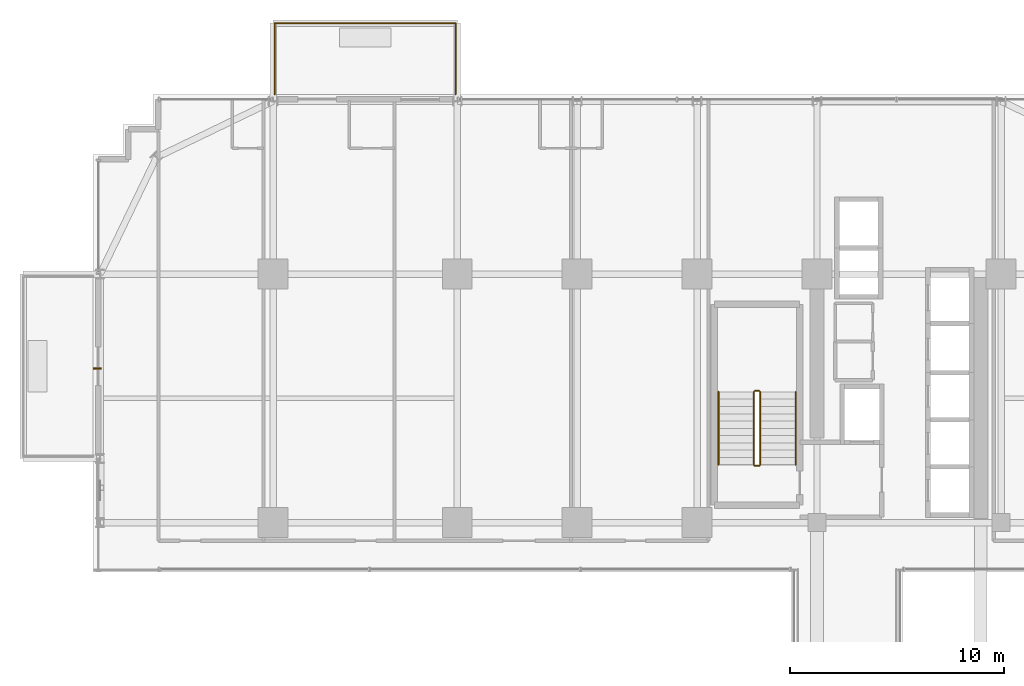
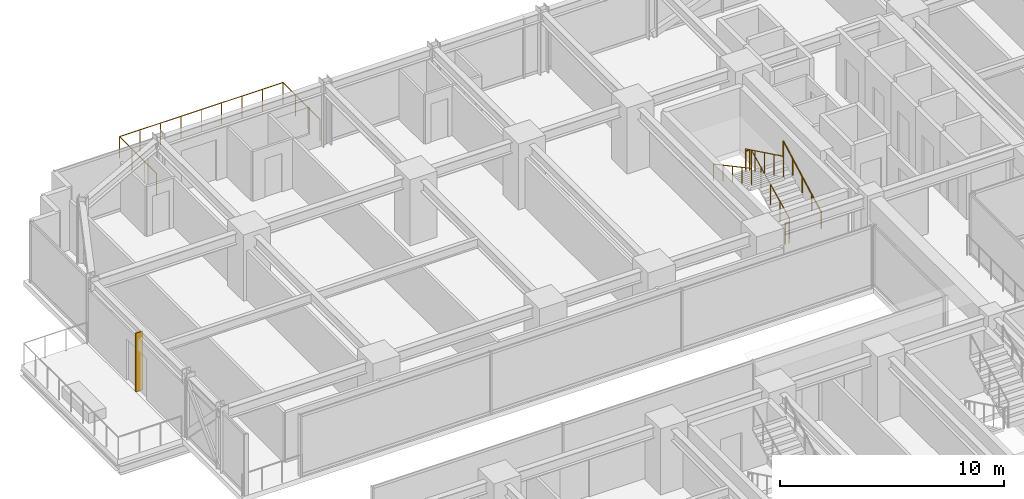
# One storey, part 41 of 42: 7 railings, 1 shading device.
"""IFC4 building model written with IfcOpenShell, lengths in metres."""

import ifcopenshell
import ifcopenshell.guid

model = None  # the IFC model being written
_history = None  # IfcOwnerHistory: only IFC2X3 demands one
_inside = {}  # id of a spatial element -> (the spatial element, [elements in it])
_under = {}  # id of a project, library or spatial element -> (it, [spatial elements below it])
_declared = {}  # id of a project -> (the project, [libraries it declares])
_typed = {}  # id of a type object -> (the type object, [elements of that type])
_made_of = {}  # id of a material, layer set ... -> (it, [elements and type objects made of it])


def new_model(schema):
    """Start an empty IFC model of exactly this schema.

    Asked for "IFC4X3", IfcOpenShell would pick the latest addendum, in which some entities
    have other attributes; the version numbers below select the first issue.
    IFC2X3 requires an IfcOwnerHistory on every rooted entity: one is made here for all.
    """
    global model, _history
    if schema == "IFC4X3":
        model = ifcopenshell.file(schema_version=(4, 3, 0, 0))
    else:
        model = ifcopenshell.file(schema=schema)
    _inside.clear()
    _under.clear()
    _declared.clear()
    _typed.clear()
    _made_of.clear()
    _history = None
    if model.schema == "IFC2X3":
        org = make("IfcOrganization", Name="unknown")
        user = make(
            "IfcPersonAndOrganization",
            ThePerson=make("IfcPerson", FamilyName="unknown"),
            TheOrganization=org,
        )
        app = make(
            "IfcApplication",
            ApplicationDeveloper=org,
            Version="unknown",
            ApplicationFullName="unknown",
            ApplicationIdentifier="unknown",
        )
        _history = make(
            "IfcOwnerHistory",
            OwningUser=user,
            OwningApplication=app,
            ChangeAction="ADDED",
            CreationDate=0,
        )
    return model


def make(cls, **values):
    """One entity of the class cls with the attributes given. An attribute that is None is left unset."""
    return model.create_entity(
        cls, **{name: value for name, value in values.items() if value is not None}
    )


def rooted(cls, **values):
    """An entity with a GlobalId (a new one), such as an element, a storey or a relation."""
    return make(cls, GlobalId=ifcopenshell.guid.new(), OwnerHistory=_history, **values)


def si_unit(unit_type, name, prefix=None):
    """IfcSIUnit, for example si_unit("LENGTHUNIT", "METRE", prefix="MILLI")."""
    return make("IfcSIUnit", UnitType=unit_type, Prefix=prefix, Name=name)


def assignment(units):
    """IfcUnitAssignment: the units of a project."""
    return None if units is None else make("IfcUnitAssignment", Units=units)


def point(xyz):
    """IfcCartesianPoint."""
    return None if xyz is None else make("IfcCartesianPoint", Coordinates=xyz)


def direction(xyz):
    """IfcDirection."""
    return None if xyz is None else make("IfcDirection", DirectionRatios=xyz)


def frame(location, z_axis=None, x_axis=None):
    """IfcAxis2Placement3D, a coordinate frame: its origin and axes. An axis left out is left unset."""
    return make(
        "IfcAxis2Placement3D",
        Location=point(location),
        Axis=direction(z_axis),
        RefDirection=direction(x_axis),
    )


def frame_2d(location, x_axis=None):
    """IfcAxis2Placement2D, a coordinate frame in the plane: its origin and x axis."""
    return make(
        "IfcAxis2Placement2D", Location=point(location), RefDirection=direction(x_axis)
    )


def origin():
    """The frame at (0, 0, 0) with its axes left unset."""
    return frame((0.0, 0.0, 0.0))


def origin_2d():
    """The frame at (0, 0) in the plane with its x axis left unset."""
    return frame_2d((0.0, 0.0))


def place(relative_to, where):
    """IfcLocalPlacement: puts the frame where relative to a parent placement (None: the world)."""
    return make(
        "IfcLocalPlacement", PlacementRelTo=relative_to, RelativePlacement=where
    )


def context(
    kind, dimensions, precision=None, world=None, true_north=None, identifier=None
):
    """IfcGeometricRepresentationContext, for example the 3D "Model" context."""
    return make(
        "IfcGeometricRepresentationContext",
        ContextIdentifier=identifier,
        ContextType=kind,
        CoordinateSpaceDimension=dimensions,
        Precision=precision,
        WorldCoordinateSystem=world,
        TrueNorth=true_north,
    )


def subcontext(parent, identifier, kind, view, scale=None):
    """IfcGeometricRepresentationSubContext, for example "Body" below "Model"."""
    return make(
        "IfcGeometricRepresentationSubContext",
        ContextIdentifier=identifier,
        ContextType=kind,
        ParentContext=parent,
        TargetScale=scale,
        TargetView=view,
    )


def project(units=None, contexts=None):
    """IfcProject with its units and contexts."""
    return rooted(
        "IfcProject",
        Name="project",
        RepresentationContexts=contexts,
        UnitsInContext=assignment(units),
    )


def spatial(cls, under=None, at=None, **own):
    """A site, building, storey or space (cls), placed at a placement, below another one or the project."""
    s = rooted(cls, ObjectPlacement=at, **own)
    if under is not None:
        _under.setdefault(under.id(), (under, []))[1].append(s)
    return s


def profile(cls, at=None, kind="AREA", **sizes):
    """A parametric profile (cls). Its sizes go by their IFC names, for example OverallWidth=200.0."""
    return make(cls, ProfileType=kind, Position=at, **sizes)


def rectangle(**sizes):
    """IfcRectangleProfileDef."""
    return profile("IfcRectangleProfileDef", **sizes)


def circle(**sizes):
    """IfcCircleProfileDef."""
    return profile("IfcCircleProfileDef", **sizes)


def extrude(swept, where, along, depth):
    """IfcExtrudedAreaSolid: the profile swept, set in the frame where, extruded along a direction by depth."""
    return make(
        "IfcExtrudedAreaSolid",
        SweptArea=swept,
        Position=where,
        ExtrudedDirection=direction(along),
        Depth=depth,
    )


def shape(context_of_items, identifier, shape_type, items):
    """IfcShapeRepresentation: the items that make up one representation, for example the "Body"."""
    return make(
        "IfcShapeRepresentation",
        ContextOfItems=context_of_items,
        RepresentationIdentifier=identifier,
        RepresentationType=shape_type,
        Items=items,
    )


def source(mapping_origin, context_of_items, identifier, shape_type, items):
    """IfcRepresentationMap: a shape defined once, which mapped items show again and again."""
    return make(
        "IfcRepresentationMap",
        MappingOrigin=mapping_origin,
        MappedRepresentation=shape(context_of_items, identifier, shape_type, items),
    )


def transform(
    local_origin,
    x_axis=None,
    y_axis=None,
    z_axis=None,
    scale=None,
    scale2=None,
    scale3=None,
    uniform=True,
):
    """IfcCartesianTransformationOperator3D, or its non-uniform kind. x_axis, y_axis, z_axis: its Axis1, 2, 3."""
    if uniform:
        return make(
            "IfcCartesianTransformationOperator3D",
            Axis1=direction(x_axis),
            Axis2=direction(y_axis),
            LocalOrigin=point(local_origin),
            Scale=scale,
            Axis3=direction(z_axis),
        )
    return make(
        "IfcCartesianTransformationOperator3DnonUniform",
        Axis1=direction(x_axis),
        Axis2=direction(y_axis),
        LocalOrigin=point(local_origin),
        Scale=scale,
        Axis3=direction(z_axis),
        Scale2=scale2,
        Scale3=scale3,
    )


def mapped(mapping_source, mapping_target):
    """IfcMappedItem: shows the shape of a source again, moved by a transform."""
    return make(
        "IfcMappedItem", MappingSource=mapping_source, MappingTarget=mapping_target
    )


def material(Name=None, Category=None):
    """IfcMaterial."""
    return make("IfcMaterial", Name=Name, Category=Category)


def layer(
    of_material, thickness, ventilated=None, Name=None, Category=None, Priority=None
):
    """IfcMaterialLayer: one layer of a wall or slab, of a material (None: an air gap)."""
    return make(
        "IfcMaterialLayer",
        Material=of_material,
        LayerThickness=thickness,
        IsVentilated=ventilated,
        Name=Name,
        Category=Category,
        Priority=Priority,
    )


def layer_set(layers, Name=None):
    """IfcMaterialLayerSet."""
    return make("IfcMaterialLayerSet", MaterialLayers=layers, LayerSetName=Name)


def made_of(thing, what):
    """Note that an element or type object is made of a material, layer set ...; save() writes the relation."""
    if what is not None:
        _made_of.setdefault(what.id(), (what, []))[1].append(thing)
    return thing


def type_object(cls, material=None, **own):
    """A type object (cls), such as IfcWallType, which elements share."""
    return made_of(rooted(cls, **own), material)


def element(
    cls,
    number,
    at=None,
    inside=None,
    cuts=None,
    type_object=None,
    material=None,
    context=None,
    identifier="Body",
    shape_type=None,
    held_by="IfcProductDefinitionShape",
    body=None,
    shapes=None,
    **own,
):
    """One element of the class cls, such as IfcWall. Its Tag is "e" and its number.

    at: its placement. inside: the storey or other place that contains it. cuts: it is an
    opening in that element (IfcRelVoidsElement). A single representation is given by context,
    identifier, shape_type and body (its items); several are given by shapes. held_by: the class
    of the entity that holds the representations. save() writes the other relations.
    """
    e = rooted(cls, Tag="e%d" % number, ObjectPlacement=at, **own)
    if body is not None:
        shapes = [shape(context, identifier, shape_type, body)]
    if shapes is not None:
        e.Representation = make(held_by, Representations=shapes)
    if inside is not None:
        _inside.setdefault(inside.id(), (inside, []))[1].append(e)
    if cuts is not None:
        rooted(
            "IfcRelVoidsElement", RelatingBuildingElement=cuts, RelatedOpeningElement=e
        )
    if type_object is not None:
        _typed.setdefault(type_object.id(), (type_object, []))[1].append(e)
    return made_of(e, material)


def aggregate(whole, parts):
    """IfcRelAggregates: a whole, such as a stair, and the parts it consists of."""
    return rooted("IfcRelAggregates", RelatingObject=whole, RelatedObjects=parts)


def save(model, path):
    """Write the relations noted so far, then the file.

    IfcRelAggregates (storeys below a building ...), IfcRelContainedInSpatialStructure (elements
    in a storey), IfcRelDefinesByType, IfcRelAssociatesMaterial and IfcRelDeclares: one each for
    every whole, place, type object, material and project.
    """
    for whole, parts in _under.values():
        aggregate(whole, parts)
    for where, things in _inside.values():
        rooted(
            "IfcRelContainedInSpatialStructure",
            RelatedElements=things,
            RelatingStructure=where,
        )
    for kind, things in _typed.values():
        rooted("IfcRelDefinesByType", RelatedObjects=things, RelatingType=kind)
    for what, things in _made_of.values():
        rooted("IfcRelAssociatesMaterial", RelatedObjects=things, RelatingMaterial=what)
    for by, libraries in _declared.values():
        rooted("IfcRelDeclares", RelatingContext=by, RelatedDefinitions=libraries)
    model.write(path)


model = new_model("IFC4")

# Units and contexts
model_context = context("Model", 3, precision=1e-05, world=origin(), true_north=direction((0.0, 1.0)))
body_context = subcontext(model_context, "Body", "Model", "MODEL_VIEW")
ifc_project = project(units=[si_unit("LENGTHUNIT", "METRE"), si_unit("AREAUNIT", "SQUARE_METRE"), si_unit("VOLUMEUNIT", "CUBIC_METRE"), si_unit("PLANEANGLEUNIT", "RADIAN"), si_unit("MASSUNIT", "GRAM", prefix="KILO")], contexts=[model_context])

# Site, building, storey
site_placement = place(None, origin())
site = spatial("IfcSite", under=ifc_project, at=site_placement, CompositionType="ELEMENT")
building_placement = place(site_placement, origin())
building = spatial("IfcBuilding", under=site, at=building_placement, Name="Nahalor Promenade Grand Hotel", CompositionType="ELEMENT")
storey_placement = place(building_placement, frame((0.0, 0.0, 61.60009765625)))
storey = spatial("IfcBuildingStorey", under=building, at=storey_placement, Name="L14", CompositionType="ELEMENT", Elevation=61.60009765625)

# Railings
ifc_material_1 = material(Name="Anodised Bronze Aluminium EN AW-6063 T6", Category="aluminium")
railing_type_1 = type_object("IfcRailingType", Name="Bronze Balcony Guardrail 1200 mm", PredefinedType="GUARDRAIL", material=ifc_material_1)
railing_1_placement = place(storey_placement, frame((-16.919921875, 25.39990234375, 0.0)))
element("IfcRailing", 1, at=railing_1_placement, inside=storey, type_object=railing_type_1, Name="L14 Balcony Guardrail 1", PredefinedType="GUARDRAIL", context=body_context, shape_type="SweptSolid", body=[
    extrude(circle(Radius=0.024048, at=origin_2d()), frame((0.0, 0.0, 1.17578125), z_axis=(0.0, 1.0, 0.0), x_axis=(-1.0, 0.0, 0.0)), (0.0, 0.0, 1.0), 3.318115234375),
    extrude(circle(Radius=0.024048, at=origin_2d()), frame((0.001953125, 3.320068359375, 1.17578125), z_axis=(1.0, 0.0, 0.0), x_axis=(0.0, 1.0, 0.0)), (0.0, 0.0, 1.0), 8.43603515625),
    extrude(circle(Radius=0.024048, at=origin_2d()), frame((8.43994140625, 3.318115234375, 1.17578125), z_axis=(0.0, -1.0, 0.0), x_axis=(1.0, 0.0, 0.0)), (0.0, 0.0, 1.0), 3.318115234375),
    extrude(circle(Radius=0.020996, at=origin_2d()), origin(), (0.0, 0.0, 1.0), 1.14990234375),
    extrude(circle(Radius=0.020996, at=origin_2d()), frame((0.0, 1.106689453125, 0.0)), (0.0, 0.0, 1.0), 1.14990234375),
    extrude(circle(Radius=0.020996, at=origin_2d()), frame((0.0, 2.21337890625, 0.0)), (0.0, 0.0, 1.0), 1.14990234375),
    extrude(circle(Radius=0.020996, at=origin_2d()), frame((0.0, 3.320068359375, 0.0)), (0.0, 0.0, 1.0), 1.14990234375),
    extrude(circle(Radius=0.020996, at=origin_2d()), frame((1.054931640625, 3.320068359375, 0.0)), (0.0, 0.0, 1.0), 1.14990234375),
    extrude(circle(Radius=0.020996, at=origin_2d()), frame((2.10986328125, 3.320068359375, 0.0)), (0.0, 0.0, 1.0), 1.14990234375),
    extrude(circle(Radius=0.020996, at=origin_2d()), frame((3.1650390625, 3.320068359375, 0.0)), (0.0, 0.0, 1.0), 1.14990234375),
    extrude(circle(Radius=0.020996, at=origin_2d()), frame((4.219970703125, 3.320068359375, 0.0)), (0.0, 0.0, 1.0), 1.14990234375),
    extrude(circle(Radius=0.020996, at=origin_2d()), frame((5.27490234375, 3.320068359375, 0.0)), (0.0, 0.0, 1.0), 1.14990234375),
    extrude(circle(Radius=0.020996, at=origin_2d()), frame((6.330078125, 3.320068359375, 0.0)), (0.0, 0.0, 1.0), 1.14990234375),
    extrude(circle(Radius=0.020996, at=origin_2d()), frame((7.385009765625, 3.320068359375, 0.0)), (0.0, 0.0, 1.0), 1.14990234375),
    extrude(circle(Radius=0.020996, at=origin_2d()), frame((8.43994140625, 3.320068359375, 0.0)), (0.0, 0.0, 1.0), 1.14990234375),
    extrude(circle(Radius=0.020996, at=origin_2d()), frame((8.43994140625, 2.21337890625, 0.0)), (0.0, 0.0, 1.0), 1.14990234375),
    extrude(circle(Radius=0.020996, at=origin_2d()), frame((8.43994140625, 1.106689453125, 0.0)), (0.0, 0.0, 1.0), 1.14990234375),
    extrude(circle(Radius=0.020996, at=origin_2d()), frame((8.43994140625, 0.0, 0.0)), (0.0, 0.0, 1.0), 1.14990234375),
])
ifc_material_2 = material(Name="Steel S355JR", Category="steel")
railing_type_2 = type_object("IfcRailingType", Name="Steel Stair Guardrail 1150 mm", PredefinedType="GUARDRAIL", material=ifc_material_2)
railing_2_placement = place(storey_placement, frame((5.75, 8.10009765625, 0.165771484375)))
element("IfcRailing", 2, at=railing_2_placement, inside=storey, type_object=railing_type_2, Name="L14 ST1 stair guard 1", PredefinedType="GUARDRAIL", context=body_context, shape_type="SweptSolid", body=[
    extrude(circle(Radius=0.024048, at=origin_2d()), frame((0.0, 0.0, 1.1259765625), z_axis=(0.0, 0.898696488221, 0.438571114028), x_axis=(-1.0, 0.0, 0.0)), (0.0, 0.0, 1.0), 3.783203125),
    extrude(circle(Radius=0.020996, at=origin_2d()), origin(), (0.0, 0.0, 1.0), 1.099853515625),
    extrude(circle(Radius=0.020996, at=origin_2d()), frame((0.0, 0.85009765625, 0.414794921875)), (0.0, 0.0, 1.0), 1.099853515625),
    extrude(circle(Radius=0.020996, at=origin_2d()), frame((0.0, 1.699951171875, 0.82958984375)), (0.0, 0.0, 1.0), 1.099853515625),
    extrude(circle(Radius=0.020996, at=origin_2d()), frame((0.0, 2.5498046875, 1.244384765625)), (0.0, 0.0, 1.0), 1.099853515625),
    extrude(circle(Radius=0.020996, at=origin_2d()), frame((0.0, 3.39990234375, 1.6591796875)), (0.0, 0.0, 1.0), 1.099853515625),
])
railing_3_placement = place(storey_placement, frame((5.699951171875, 11.550048828125, 1.824951171875)))
element("IfcRailing", 3, at=railing_3_placement, inside=storey, type_object=railing_type_2, Name="L14 ST1 stair guard 2", PredefinedType="GUARDRAIL", context=body_context, shape_type="SweptSolid", body=[
    extrude(circle(Radius=0.024048, at=origin_2d()), frame((0.0, 0.0, 1.1259765625), z_axis=(-1.0, 0.0, 0.0), x_axis=(0.0, -1.0, 0.0)), (0.0, 0.0, 1.0), 0.199951171875),
    extrude(circle(Radius=0.020996, at=origin_2d()), origin(), (0.0, 0.0, 1.0), 1.099853515625),
    extrude(circle(Radius=0.020996, at=origin_2d()), frame((-0.199951171875, 0.0, 0.0)), (0.0, 0.0, 1.0), 1.099853515625),
])
railing_4_placement = place(storey_placement, frame((5.449951171875, 11.5, 1.99072265625)))
element("IfcRailing", 4, at=railing_4_placement, inside=storey, type_object=railing_type_2, Name="L14 ST1 stair guard 3", PredefinedType="GUARDRAIL", context=body_context, shape_type="SweptSolid", body=[
    extrude(circle(Radius=0.024048, at=origin_2d()), frame((0.0, 0.0, 1.1259765625), z_axis=(0.0, -0.898696488221, 0.438571114028), x_axis=(1.0, 0.0, 0.0)), (0.0, 0.0, 1.0), 3.783203125),
    extrude(circle(Radius=0.020996, at=origin_2d()), origin(), (0.0, 0.0, 1.0), 1.099853515625),
    extrude(circle(Radius=0.020996, at=origin_2d()), frame((0.0, -0.85009765625, 0.414794921875)), (0.0, 0.0, 1.0), 1.099853515625),
    extrude(circle(Radius=0.020996, at=origin_2d()), frame((0.0, -1.699951171875, 0.82958984375)), (0.0, 0.0, 1.0), 1.099853515625),
    extrude(circle(Radius=0.020996, at=origin_2d()), frame((0.0, -2.5498046875, 1.244384765625)), (0.0, 0.0, 1.0), 1.099853515625),
    extrude(circle(Radius=0.020996, at=origin_2d()), frame((0.0, -3.39990234375, 1.6591796875)), (0.0, 0.0, 1.0), 1.099853515625),
])
railing_5_placement = place(storey_placement, frame((5.699951171875, 8.050048828125, 0.0)))
element("IfcRailing", 5, at=railing_5_placement, inside=storey, type_object=railing_type_2, Name="L14 ST1 stair guard 4", PredefinedType="GUARDRAIL", context=body_context, shape_type="SweptSolid", body=[
    extrude(circle(Radius=0.024048, at=origin_2d()), frame((0.0, 0.0, 1.1259765625), z_axis=(-1.0, 0.0, 0.0), x_axis=(0.0, -1.0, 0.0)), (0.0, 0.0, 1.0), 0.199951171875),
    extrude(circle(Radius=0.020996, at=origin_2d()), origin(), (0.0, 0.0, 1.0), 1.099853515625),
    extrude(circle(Radius=0.020996, at=origin_2d()), frame((-0.199951171875, 0.0, 0.0)), (0.0, 0.0, 1.0), 1.099853515625),
])
railing_type_3 = type_object("IfcRailingType", Name="Steel Stair Handrail 900 mm", PredefinedType="HANDRAIL", material=ifc_material_2)
railing_6_placement = place(storey_placement, frame((7.39990234375, 8.10009765625, 0.165771484375)))
element("IfcRailing", 6, at=railing_6_placement, inside=storey, type_object=railing_type_3, Name="L14 ST1 stair handrail 1", PredefinedType="HANDRAIL", context=body_context, shape_type="SweptSolid", body=[
    extrude(circle(Radius=0.024048, at=origin_2d()), frame((0.0, 0.0, 0.8759765625), z_axis=(0.0, 0.881094038095, 0.47294111265), x_axis=(-1.0, 0.0, 0.0)), (0.0, 0.0, 1.0), 3.858642578125),
    extrude(circle(Radius=0.020996, at=origin_2d()), origin(), (0.0, 0.0, 1.0), 0.849853515625),
    extrude(circle(Radius=0.020996, at=origin_2d()), frame((0.0, 0.85009765625, 0.456298828125)), (0.0, 0.0, 1.0), 0.849853515625),
    extrude(circle(Radius=0.020996, at=origin_2d()), frame((0.0, 1.699951171875, 0.91259765625)), (0.0, 0.0, 1.0), 0.849853515625),
    extrude(circle(Radius=0.020996, at=origin_2d()), frame((0.0, 2.5498046875, 1.36865234375)), (0.0, 0.0, 1.0), 0.849853515625),
    extrude(circle(Radius=0.020996, at=origin_2d()), frame((0.0, 3.39990234375, 1.824951171875)), (0.0, 0.0, 1.0), 0.849853515625),
])
railing_7_placement = place(storey_placement, frame((3.800048828125, 11.5, 1.99072265625)))
element("IfcRailing", 7, at=railing_7_placement, inside=storey, type_object=railing_type_3, Name="L14 ST1 stair handrail 2", PredefinedType="HANDRAIL", context=body_context, shape_type="SweptSolid", body=[
    extrude(circle(Radius=0.024048, at=origin_2d()), frame((0.0, 0.0, 0.8759765625), z_axis=(0.0, -0.881067672671, 0.472990228413), x_axis=(1.0, 0.0, 0.0)), (0.0, 0.0, 1.0), 3.85888671875),
    extrude(circle(Radius=0.020996, at=origin_2d()), origin(), (0.0, 0.0, 1.0), 0.849853515625),
    extrude(circle(Radius=0.020996, at=origin_2d()), frame((0.0, -0.85009765625, 0.456298828125)), (0.0, 0.0, 1.0), 0.849853515625),
    extrude(circle(Radius=0.020996, at=origin_2d()), frame((0.0, -1.699951171875, 0.91259765625)), (0.0, 0.0, 1.0), 0.849853515625),
    extrude(circle(Radius=0.020996, at=origin_2d()), frame((0.0, -2.5498046875, 1.368896484375)), (0.0, 0.0, 1.0), 0.849853515625),
    extrude(circle(Radius=0.020996, at=origin_2d()), frame((0.0, -3.39990234375, 1.8251953125)), (0.0, 0.0, 1.0), 0.849853515625),
])

# Shading device
ifc_layer = layer(ifc_material_1, 0.06005859375)
ifc_layer_set = layer_set([ifc_layer], Name="Anodised Bronze Aluminium EN AW-6063 T6")
shading_device_type = type_object("IfcShadingDeviceType", Name="Shade-SolarFin-Bronze", PredefinedType="JALOUSIE", material=ifc_layer_set)
shared_shape = source(origin(), body_context, "Body", "SweptSolid", [
    extrude(rectangle(XDim=0.3798828125, YDim=0.06005859375, at=origin_2d()), origin(), (0.0, 0.0, 1.0), 3.199951171875),
])
shading_device_placement = place(storey_placement, frame((-25.2099609375, 12.60009765625, 0.0), z_axis=(0.0, 0.0, 1.0), x_axis=(1.0, 0.0, 0.0)))
element("IfcShadingDevice", 8, at=shading_device_placement, inside=storey, type_object=shading_device_type, Name="JAL-L14-W2", PredefinedType="JALOUSIE", context=body_context, shape_type="MappedRepresentation", body=[
    mapped(shared_shape, transform((0.0, 0.0, 0.0), scale=1.0)),
])

save(model, "model.ifc")
